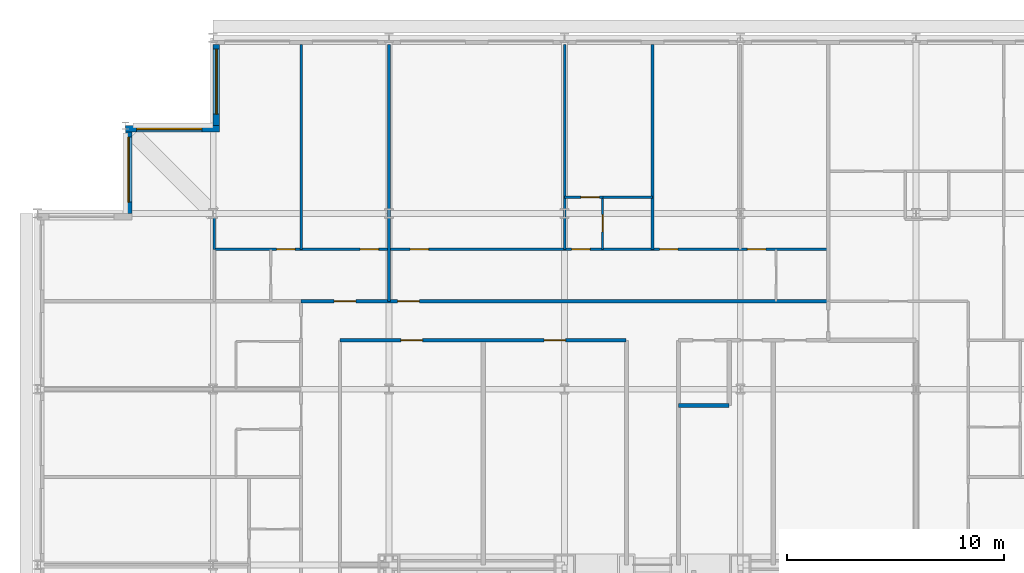
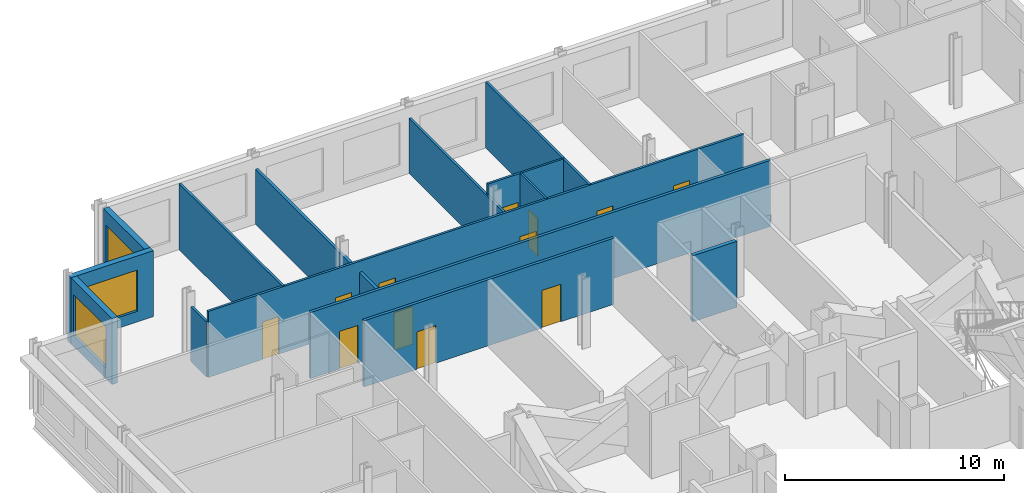
# One storey, part 12 of 15: 15 walls, 12 doors, 3 windows, 15 openings.
"""IFC4 building model written with IfcOpenShell, lengths in metres."""

from ifc_helpers import new_model, si_unit, direction, frame, frame_2d, origin, place, context, subcontext, project, spatial, rectangle, extrude, material, layer, layer_set, type_object, element, fill, save


model = new_model("IFC4")

# Units and contexts
model_context = context("Model", 3, precision=1e-05, world=origin(), true_north=direction((0.0, 1.0)))
body_context = subcontext(model_context, "Body", "Model", "MODEL_VIEW")
ifc_project = project(units=[si_unit("LENGTHUNIT", "METRE"), si_unit("AREAUNIT", "SQUARE_METRE"), si_unit("VOLUMEUNIT", "CUBIC_METRE"), si_unit("PLANEANGLEUNIT", "RADIAN"), si_unit("MASSUNIT", "GRAM", prefix="KILO")], contexts=[model_context])

# Site, building, storey
site_placement = place(None, origin())
site = spatial("IfcSite", under=ifc_project, at=site_placement, CompositionType="ELEMENT")
building_placement = place(site_placement, origin())
building = spatial("IfcBuilding", under=site, at=building_placement, Name="Kopane Lantern Tower", CompositionType="ELEMENT")
storey_placement = place(building_placement, frame((0.0, 0.0, 246.300048828125)))
storey = spatial("IfcBuildingStorey", under=building, at=storey_placement, Name="L63", CompositionType="ELEMENT", Elevation=246.300048828125)

# Walls
ifc_material_1 = material(Name="Gypsum board on steel studs", Category="steel")
ifc_layer_1 = layer(ifc_material_1, 0.1201171875)
ifc_layer_set_1 = layer_set([ifc_layer_1], Name="APARTMENT INTERNAL WALL 120")
wall_type_1 = type_object("IfcWallType", Name="APARTMENT INTERNAL WALL 120", PredefinedType="PARTITIONING", material=ifc_layer_set_1)
wall_1_placement = place(storey_placement, frame((24.300048828125, 55.050048828125, 0.0), z_axis=(0.0, 0.0, 1.0), x_axis=(0.0, 1.0, 0.0)))
element("IfcWall", 1, at=wall_1_placement, inside=storey, type_object=wall_type_1, Name="Apartment Internal Wall 120 L63", PredefinedType="PARTITIONING", context=body_context, shape_type="SweptSolid", body=[
    extrude(rectangle(XDim=9.449951171875, YDim=0.1201171875, at=frame_2d((4.72509765625, 0.0))), origin(), (0.0, 0.0, 1.0), 3.07763671875),
])
wall_2_placement = place(storey_placement, frame((28.35009765625, 55.050048828125, 0.0), z_axis=(0.0, 0.0, 1.0), x_axis=(0.0, 1.0, 0.0)))
element("IfcWall", 2, at=wall_2_placement, inside=storey, type_object=wall_type_1, Name="Apartment Internal Wall 120 L63", PredefinedType="PARTITIONING", context=body_context, shape_type="SweptSolid", body=[
    extrude(rectangle(XDim=9.449951171875, YDim=0.1201171875, at=frame_2d((4.72509765625, 0.0))), origin(), (0.0, 0.0, 1.0), 3.68994140625),
])

# Wall, openings, doors
wall_3_placement = place(storey_placement, frame((8.14990234375, 55.050048828125, 0.0), z_axis=(0.0, 0.0, 1.0), x_axis=(1.0, 0.0, 0.0)))
wall_3 = element("IfcWall", 3, at=wall_3_placement, inside=storey, type_object=wall_type_1, Name="Apartment Internal Wall 120 L63", PredefinedType="PARTITIONING", context=body_context, shape_type="SweptSolid", body=[
    extrude(rectangle(XDim=28.300048828125, YDim=0.1201171875, at=frame_2d((14.14990234375, 0.0))), origin(), (0.0, 0.0, 1.0), 3.68994140625),
])
opening_1_placement = place(wall_3_placement, frame((9.02490234375, 0.0, 0.0)))
opening_1 = element("IfcOpeningElement", 4, at=opening_1_placement, cuts=wall_3, Name="Opening L63-020", PredefinedType="OPENING", context=body_context, shape_type="SweptSolid", body=[
    extrude(rectangle(XDim=0.85009765625, YDim=2.10009765625, at=frame_2d((0.425048828125, 1.050048828125))), frame((0.0, 0.070068359375, 0.0), z_axis=(0.0, -1.0, 0.0), x_axis=(1.0, 0.0, 0.0)), (0.0, 0.0, 1.0), 0.14013671875),
])
opening_2_placement = place(wall_3_placement, frame((16.47509765625, 0.0, 0.0)))
opening_2 = element("IfcOpeningElement", 5, at=opening_2_placement, cuts=wall_3, Name="Opening L63-022", PredefinedType="OPENING", context=body_context, shape_type="SweptSolid", body=[
    extrude(rectangle(XDim=0.85009765625, YDim=2.10009765625, at=frame_2d((0.425048828125, 1.050048828125))), frame((0.0, 0.070068359375, 0.0), z_axis=(0.0, -1.0, 0.0), x_axis=(1.0, 0.0, 0.0)), (0.0, 0.0, 1.0), 0.14013671875),
])
opening_3_placement = place(wall_3_placement, frame((20.52490234375, 0.0, 0.0)))
opening_3 = element("IfcOpeningElement", 6, at=opening_3_placement, cuts=wall_3, Name="Opening L63-023", PredefinedType="OPENING", context=body_context, shape_type="SweptSolid", body=[
    extrude(rectangle(XDim=0.85009765625, YDim=2.10009765625, at=frame_2d((0.425048828125, 1.050048828125))), frame((0.0, 0.070068359375, 0.0), z_axis=(0.0, -1.0, 0.0), x_axis=(1.0, 0.0, 0.0)), (0.0, 0.0, 1.0), 0.14013671875),
])
opening_4_placement = place(wall_3_placement, frame((24.574951171875, 0.0, 0.0)))
opening_4 = element("IfcOpeningElement", 7, at=opening_4_placement, cuts=wall_3, Name="Opening L63-024", PredefinedType="OPENING", context=body_context, shape_type="SweptSolid", body=[
    extrude(rectangle(XDim=0.85009765625, YDim=2.10009765625, at=frame_2d((0.425048828125, 1.050048828125))), frame((0.0, 0.070068359375, 0.0), z_axis=(0.0, -1.0, 0.0), x_axis=(1.0, 0.0, 0.0)), (0.0, 0.0, 1.0), 0.14013671875),
])
opening_5_placement = place(wall_3_placement, frame((6.72509765625, 0.0, 0.0)))
opening_5 = element("IfcOpeningElement", 8, at=opening_5_placement, cuts=wall_3, Name="Opening L63-040", PredefinedType="OPENING", context=body_context, shape_type="SweptSolid", body=[
    extrude(rectangle(XDim=0.85009765625, YDim=2.10009765625, at=frame_2d((0.425048828125, 1.050048828125))), frame((0.0, 0.070068359375, 0.0), z_axis=(0.0, -1.0, 0.0), x_axis=(1.0, 0.0, 0.0)), (0.0, 0.0, 1.0), 0.14013671875),
])
opening_6_placement = place(wall_3_placement, frame((2.875, 0.0, 0.0)))
opening_6 = element("IfcOpeningElement", 9, at=opening_6_placement, cuts=wall_3, Name="Opening L63-042", PredefinedType="OPENING", context=body_context, shape_type="SweptSolid", body=[
    extrude(rectangle(XDim=0.85009765625, YDim=2.10009765625, at=frame_2d((0.425048828125, 1.050048828125))), frame((0.0, 0.070068359375, 0.0), z_axis=(0.0, -1.0, 0.0), x_axis=(1.0, 0.0, 0.0)), (0.0, 0.0, 1.0), 0.14013671875),
])
ifc_material_2 = material(Name="Timber door set", Category="wood")
door_type_1 = type_object("IfcDoorType", Name="DOOR D4 850x2100", OperationType="SINGLE_SWING_LEFT", PredefinedType="DOOR", material=ifc_material_2)
door_1_placement = place(opening_1_placement, origin())
door_1 = element("IfcDoor", 10, at=door_1_placement, inside=storey, type_object=door_type_1, Name="Door L63-020", OperationType="SINGLE_SWING_LEFT", OverallHeight=2.10009765625, OverallWidth=0.85009765625, PredefinedType="DOOR", context=body_context, shape_type="SweptSolid", body=[
    extrude(rectangle(XDim=0.85009765625, YDim=2.10009765625, at=frame_2d((0.425048828125, 1.050048828125))), frame((0.0, 0.02490234375, 0.0), z_axis=(0.0, -1.0, 0.0), x_axis=(1.0, 0.0, 0.0)), (0.0, 0.0, 1.0), 0.050048828125),
])
fill(opening_1, door_1)
door_2_placement = place(opening_2_placement, origin())
door_2 = element("IfcDoor", 11, at=door_2_placement, inside=storey, type_object=door_type_1, Name="Door L63-022", OperationType="SINGLE_SWING_LEFT", OverallHeight=2.10009765625, OverallWidth=0.85009765625, PredefinedType="DOOR", context=body_context, shape_type="SweptSolid", body=[
    extrude(rectangle(XDim=0.85009765625, YDim=2.10009765625, at=frame_2d((0.425048828125, 1.050048828125))), frame((0.0, 0.02490234375, 0.0), z_axis=(0.0, -1.0, 0.0), x_axis=(1.0, 0.0, 0.0)), (0.0, 0.0, 1.0), 0.050048828125),
])
fill(opening_2, door_2)
door_3_placement = place(opening_3_placement, origin())
door_3 = element("IfcDoor", 12, at=door_3_placement, inside=storey, type_object=door_type_1, Name="Door L63-023", OperationType="SINGLE_SWING_LEFT", OverallHeight=2.10009765625, OverallWidth=0.85009765625, PredefinedType="DOOR", context=body_context, shape_type="SweptSolid", body=[
    extrude(rectangle(XDim=0.85009765625, YDim=2.10009765625, at=frame_2d((0.425048828125, 1.050048828125))), frame((0.0, 0.02490234375, 0.0), z_axis=(0.0, -1.0, 0.0), x_axis=(1.0, 0.0, 0.0)), (0.0, 0.0, 1.0), 0.050048828125),
])
fill(opening_3, door_3)
door_4_placement = place(opening_4_placement, origin())
door_4 = element("IfcDoor", 13, at=door_4_placement, inside=storey, type_object=door_type_1, Name="Door L63-024", OperationType="SINGLE_SWING_LEFT", OverallHeight=2.10009765625, OverallWidth=0.85009765625, PredefinedType="DOOR", context=body_context, shape_type="SweptSolid", body=[
    extrude(rectangle(XDim=0.85009765625, YDim=2.10009765625, at=frame_2d((0.425048828125, 1.050048828125))), frame((0.0, 0.02490234375, 0.0), z_axis=(0.0, -1.0, 0.0), x_axis=(1.0, 0.0, 0.0)), (0.0, 0.0, 1.0), 0.050048828125),
])
fill(opening_4, door_4)
door_5_placement = place(opening_5_placement, origin())
door_5 = element("IfcDoor", 14, at=door_5_placement, inside=storey, type_object=door_type_1, Name="Door L63-040", OperationType="SINGLE_SWING_LEFT", OverallHeight=2.10009765625, OverallWidth=0.85009765625, PredefinedType="DOOR", context=body_context, shape_type="SweptSolid", body=[
    extrude(rectangle(XDim=0.85009765625, YDim=2.10009765625, at=frame_2d((0.425048828125, 1.050048828125))), frame((0.0, 0.02490234375, 0.0), z_axis=(0.0, -1.0, 0.0), x_axis=(1.0, 0.0, 0.0)), (0.0, 0.0, 1.0), 0.050048828125),
])
fill(opening_5, door_5)
door_6_placement = place(opening_6_placement, origin())
door_6 = element("IfcDoor", 15, at=door_6_placement, inside=storey, type_object=door_type_1, Name="Door L63-042", OperationType="SINGLE_SWING_RIGHT", OverallHeight=2.10009765625, OverallWidth=0.85009765625, PredefinedType="DOOR", context=body_context, shape_type="SweptSolid", body=[
    extrude(rectangle(XDim=0.85009765625, YDim=2.10009765625, at=frame_2d((0.425048828125, 1.050048828125))), frame((0.0, 0.02490234375, 0.0), z_axis=(0.0, -1.0, 0.0), x_axis=(1.0, 0.0, 0.0)), (0.0, 0.0, 1.0), 0.050048828125),
])
fill(opening_6, door_6)

# Wall
wall_4_placement = place(storey_placement, frame((12.14990234375, 55.050048828125, 0.0), z_axis=(0.0, 0.0, 1.0), x_axis=(0.0, 1.0, 0.0)))
element("IfcWall", 16, at=wall_4_placement, inside=storey, type_object=wall_type_1, Name="Apartment Internal Wall 120 L63", PredefinedType="PARTITIONING", context=body_context, shape_type="SweptSolid", body=[
    extrude(rectangle(XDim=9.449951171875, YDim=0.1201171875, at=frame_2d((4.72509765625, 0.0))), origin(), (0.0, 0.0, 1.0), 3.68994140625),
])

# Wall, opening, door
wall_5_placement = place(storey_placement, frame((24.300048828125, 57.449951171875, 0.0), z_axis=(0.0, 0.0, 1.0), x_axis=(1.0, 0.0, 0.0)))
wall_5 = element("IfcWall", 17, at=wall_5_placement, inside=storey, type_object=wall_type_1, Name="Apartment Internal Wall 120 L63", PredefinedType="PARTITIONING", context=body_context, shape_type="SweptSolid", body=[
    extrude(rectangle(XDim=1.760009765625, YDim=0.1201171875, at=frame_2d((0.8798828125, 0.0))), origin(), (0.0, 0.0, 1.0), 3.68994140625),
])
opening_7_placement = place(wall_5_placement, frame((0.75, 0.0, 0.0)))
opening_7 = element("IfcOpeningElement", 18, at=opening_7_placement, cuts=wall_5, Name="Opening L63-061", PredefinedType="OPENING", context=body_context, shape_type="SweptSolid", body=[
    extrude(rectangle(XDim=0.85009765625, YDim=2.10009765625, at=frame_2d((0.425048828125, 1.050048828125))), frame((0.0, 0.070068359375, 0.0), z_axis=(0.0, -1.0, 0.0), x_axis=(1.0, 0.0, 0.0)), (0.0, 0.0, 1.0), 0.14013671875),
])
door_7_placement = place(opening_7_placement, origin())
door_7 = element("IfcDoor", 19, at=door_7_placement, inside=storey, type_object=door_type_1, Name="Door L63-061", OperationType="SINGLE_SWING_LEFT", OverallHeight=2.10009765625, OverallWidth=0.85009765625, PredefinedType="DOOR", context=body_context, shape_type="SweptSolid", body=[
    extrude(rectangle(XDim=0.85009765625, YDim=2.10009765625, at=frame_2d((0.425048828125, 1.050048828125))), frame((0.0, 0.02490234375, 0.0), z_axis=(0.0, -1.0, 0.0), x_axis=(1.0, 0.0, 0.0)), (0.0, 0.0, 1.0), 0.050048828125),
])
fill(opening_7, door_7)

# Wall
wall_6_placement = place(storey_placement, frame((8.14990234375, 55.050048828125, 0.0), z_axis=(0.0, 0.0, 1.0), x_axis=(0.0, 1.0, 0.0)))
element("IfcWall", 20, at=wall_6_placement, inside=storey, type_object=wall_type_1, Name="Apartment Internal Wall 120 L63", PredefinedType="PARTITIONING", context=body_context, shape_type="SweptSolid", body=[
    extrude(rectangle(XDim=1.447021484375, YDim=0.1201171875, at=frame_2d((0.7236328125, 0.0))), origin(), (0.0, 0.0, 1.0), 3.07763671875),
])

# Wall, opening, door
ifc_material_3 = material(Name="Moisture-resistant board on steel studs", Category="steel")
ifc_layer_2 = layer(ifc_material_3, 0.10009765625)
ifc_layer_set_2 = layer_set([ifc_layer_2], Name="BATHROOM WALL 100")
wall_type_2 = type_object("IfcWallType", Name="BATHROOM WALL 100", PredefinedType="PARTITIONING", material=ifc_layer_set_2)
wall_7_placement = place(storey_placement, frame((26.050048828125, 55.050048828125, 0.0), z_axis=(0.0, 0.0, 1.0), x_axis=(0.0, 1.0, 0.0)))
wall_7 = element("IfcWall", 21, at=wall_7_placement, inside=storey, type_object=wall_type_2, Name="Bathroom Wall 100 L63", PredefinedType="PARTITIONING", context=body_context, shape_type="SweptSolid", body=[
    extrude(rectangle(XDim=2.39990234375, YDim=0.10009765625, at=frame_2d((1.199951171875, 0.0))), origin(), (0.0, 0.0, 1.0), 3.68994140625),
])
opening_8_placement = place(wall_7_placement, frame((0.800048828125, 0.0, 0.0)))
opening_8 = element("IfcOpeningElement", 22, at=opening_8_placement, cuts=wall_7, Name="Opening L63-021", PredefinedType="OPENING", context=body_context, shape_type="SweptSolid", body=[
    extrude(rectangle(XDim=0.800048828125, YDim=2.10009765625, at=frame_2d((0.39990234375, 1.050048828125))), frame((0.0, 0.06005859375, 0.0), z_axis=(0.0, -1.0, 0.0), x_axis=(1.0, 0.0, 0.0)), (0.0, 0.0, 1.0), 0.1201171875),
])
ifc_material_4 = material(Name="Timber door set", Category="wood")
door_type_2 = type_object("IfcDoorType", Name="DOOR D2 800x2100", OperationType="SINGLE_SWING_LEFT", PredefinedType="DOOR", material=ifc_material_4)
door_8_placement = place(opening_8_placement, origin())
door_8 = element("IfcDoor", 23, at=door_8_placement, inside=storey, type_object=door_type_2, Name="Door L63-021", OperationType="SINGLE_SWING_RIGHT", OverallHeight=2.10009765625, OverallWidth=0.800048828125, PredefinedType="DOOR", context=body_context, shape_type="SweptSolid", body=[
    extrude(rectangle(XDim=0.800048828125, YDim=2.10009765625, at=frame_2d((0.39990234375, 1.050048828125))), frame((0.0, 0.02490234375, 0.0), z_axis=(0.0, -1.0, 0.0), x_axis=(1.0, 0.0, 0.0)), (0.0, 0.0, 1.0), 0.050048828125),
])
fill(opening_8, door_8)

# Wall
wall_8_placement = place(storey_placement, frame((26.050048828125, 57.449951171875, 0.0), z_axis=(0.0, 0.0, 1.0), x_axis=(1.0, 0.0, 0.0)))
element("IfcWall", 24, at=wall_8_placement, inside=storey, type_object=wall_type_2, Name="Bathroom Wall 100 L63", PredefinedType="PARTITIONING", context=body_context, shape_type="SweptSolid", body=[
    extrude(rectangle(XDim=2.300048828125, YDim=0.10009765625, at=frame_2d((1.14990234375, 0.0))), origin(), (0.0, 0.0, 1.0), 3.68994140625),
])

# Wall, openings, doors
ifc_material_5 = material(Name="Gypsum board on steel studs", Category="steel")
ifc_layer_3 = layer(ifc_material_5, 0.14990234375)
ifc_layer_set_3 = layer_set([ifc_layer_3], Name="CORRIDOR WALL 150 EI 60")
wall_type_3 = type_object("IfcWallType", Name="CORRIDOR WALL 150 EI 60", PredefinedType="PARTITIONING", material=ifc_layer_set_3)
wall_9_placement = place(storey_placement, frame((12.14990234375, 52.64990234375, 0.0), z_axis=(0.0, 0.0, 1.0), x_axis=(1.0, 0.0, 0.0)))
wall_9 = element("IfcWall", 25, at=wall_9_placement, inside=storey, type_object=wall_type_3, Name="Corridor Wall 150 Ei 60 L63", PredefinedType="PARTITIONING", context=body_context, shape_type="SweptSolid", body=[
    extrude(rectangle(XDim=24.300048828125, YDim=0.14990234375, at=frame_2d((12.14990234375, 0.0))), origin(), (0.0, 0.0, 1.0), 3.68994140625),
])
opening_9_placement = place(wall_9_placement, frame((4.449951171875, 0.0, 0.0)))
opening_9 = element("IfcOpeningElement", 26, at=opening_9_placement, cuts=wall_9, Name="Opening L63-019", PredefinedType="OPENING", context=body_context, shape_type="SweptSolid", body=[
    extrude(rectangle(XDim=1.0, YDim=2.10009765625, at=frame_2d((0.5, 1.050048828125))), frame((0.0, 0.0849609375, 0.0), z_axis=(0.0, -1.0, 0.0), x_axis=(1.0, 0.0, 0.0)), (0.0, 0.0, 1.0), 0.169921875),
])
opening_10_placement = place(wall_9_placement, frame((1.52490234375, 0.0, 0.0)))
opening_10 = element("IfcOpeningElement", 27, at=opening_10_placement, cuts=wall_9, Name="Opening L63-039", PredefinedType="OPENING", context=body_context, shape_type="SweptSolid", body=[
    extrude(rectangle(XDim=1.0, YDim=2.10009765625, at=frame_2d((0.5, 1.050048828125))), frame((0.0, 0.0849609375, 0.0), z_axis=(0.0, -1.0, 0.0), x_axis=(1.0, 0.0, 0.0)), (0.0, 0.0, 1.0), 0.169921875),
])
ifc_material_6 = material(Name="Steel door set", Category="steel")
door_type_3 = type_object("IfcDoorType", Name="DOOR D3 1000x2100 FD30S", OperationType="SINGLE_SWING_LEFT", PredefinedType="DOOR", material=ifc_material_6)
door_9_placement = place(opening_9_placement, origin())
door_9 = element("IfcDoor", 28, at=door_9_placement, inside=storey, type_object=door_type_3, Name="Door L63-019", OperationType="SINGLE_SWING_LEFT", OverallHeight=2.10009765625, OverallWidth=1.0, PredefinedType="DOOR", context=body_context, shape_type="SweptSolid", body=[
    extrude(rectangle(XDim=1.0, YDim=2.10009765625, at=frame_2d((0.5, 1.050048828125))), frame((0.0, 0.02490234375, 0.0), z_axis=(0.0, -1.0, 0.0), x_axis=(1.0, 0.0, 0.0)), (0.0, 0.0, 1.0), 0.050048828125),
])
fill(opening_9, door_9)
door_10_placement = place(opening_10_placement, origin())
door_10 = element("IfcDoor", 29, at=door_10_placement, inside=storey, type_object=door_type_3, Name="Door L63-039", OperationType="SINGLE_SWING_RIGHT", OverallHeight=2.10009765625, OverallWidth=1.0, PredefinedType="DOOR", context=body_context, shape_type="SweptSolid", body=[
    extrude(rectangle(XDim=1.0, YDim=2.10009765625, at=frame_2d((0.5, 1.050048828125))), frame((0.0, 0.02490234375, 0.0), z_axis=(0.0, -1.0, 0.0), x_axis=(1.0, 0.0, 0.0)), (0.0, 0.0, 1.0), 0.050048828125),
])
fill(opening_10, door_10)

wall_10_placement = place(storey_placement, frame((13.949951171875, 50.85009765625, 0.0), z_axis=(0.0, 0.0, 1.0), x_axis=(1.0, 0.0, 0.0)))
wall_10 = element("IfcWall", 30, at=wall_10_placement, inside=storey, type_object=wall_type_3, Name="Corridor Wall 150 Ei 60 L63", PredefinedType="PARTITIONING", context=body_context, shape_type="SweptSolid", body=[
    extrude(rectangle(XDim=13.18994140625, YDim=0.14990234375, at=frame_2d((6.594970703125, 0.0))), origin(), (0.0, 0.0, 1.0), 3.68994140625),
])
opening_11_placement = place(wall_10_placement, frame((2.800048828125, 0.0, 0.0)))
opening_11 = element("IfcOpeningElement", 31, at=opening_11_placement, cuts=wall_10, Name="Opening L63-003", PredefinedType="OPENING", context=body_context, shape_type="SweptSolid", body=[
    extrude(rectangle(XDim=1.0, YDim=2.10009765625, at=frame_2d((0.5, 1.050048828125))), frame((0.0, 0.0849609375, 0.0), z_axis=(0.0, -1.0, 0.0), x_axis=(1.0, 0.0, 0.0)), (0.0, 0.0, 1.0), 0.169921875),
])
opening_12_placement = place(wall_10_placement, frame((9.39990234375, 0.0, 0.0)))
opening_12 = element("IfcOpeningElement", 32, at=opening_12_placement, cuts=wall_10, Name="Opening L63-004", PredefinedType="OPENING", context=body_context, shape_type="SweptSolid", body=[
    extrude(rectangle(XDim=1.0, YDim=2.10009765625, at=frame_2d((0.5, 1.050048828125))), frame((0.0, 0.0849609375, 0.0), z_axis=(0.0, -1.0, 0.0), x_axis=(1.0, 0.0, 0.0)), (0.0, 0.0, 1.0), 0.169921875),
])
ifc_material_7 = material(Name="Steel door set", Category="steel")
door_type_4 = type_object("IfcDoorType", Name="DOOR D5 1000x2100 FD60", OperationType="SINGLE_SWING_LEFT", PredefinedType="DOOR", material=ifc_material_7)
door_11_placement = place(opening_11_placement, origin())
door_11 = element("IfcDoor", 33, at=door_11_placement, inside=storey, type_object=door_type_4, Name="Door L63-003", OperationType="SINGLE_SWING_RIGHT", OverallHeight=2.10009765625, OverallWidth=1.0, PredefinedType="DOOR", context=body_context, shape_type="SweptSolid", body=[
    extrude(rectangle(XDim=1.0, YDim=2.10009765625, at=frame_2d((0.5, 1.050048828125))), frame((0.0, 0.02490234375, 0.0), z_axis=(0.0, -1.0, 0.0), x_axis=(1.0, 0.0, 0.0)), (0.0, 0.0, 1.0), 0.050048828125),
])
fill(opening_11, door_11)
door_12_placement = place(opening_12_placement, origin())
door_12 = element("IfcDoor", 34, at=door_12_placement, inside=storey, type_object=door_type_4, Name="Door L63-004", OperationType="SINGLE_SWING_LEFT", OverallHeight=2.10009765625, OverallWidth=1.0, PredefinedType="DOOR", context=body_context, shape_type="SweptSolid", body=[
    extrude(rectangle(XDim=1.0, YDim=2.10009765625, at=frame_2d((0.5, 1.050048828125))), frame((0.0, 0.02490234375, 0.0), z_axis=(0.0, -1.0, 0.0), x_axis=(1.0, 0.0, 0.0)), (0.0, 0.0, 1.0), 0.050048828125),
])
fill(opening_12, door_12)

# Wall
ifc_material_8 = material(Name="Gypsum board on steel studs", Category="steel")
ifc_layer_4 = layer(ifc_material_8, 0.14990234375)
ifc_layer_set_4 = layer_set([ifc_layer_4], Name="DEMISING WALL 150 EI 60")
wall_type_4 = type_object("IfcWallType", Name="DEMISING WALL 150 EI 60", PredefinedType="PARTITIONING", material=ifc_layer_set_4)
wall_11_placement = place(storey_placement, frame((16.199951171875, 52.64990234375, 0.0), z_axis=(0.0, 0.0, 1.0), x_axis=(0.0, 1.0, 0.0)))
element("IfcWall", 35, at=wall_11_placement, inside=storey, type_object=wall_type_4, Name="Demising Wall 150 Ei 60 L63", PredefinedType="PARTITIONING", context=body_context, shape_type="SweptSolid", body=[
    extrude(rectangle(XDim=11.85009765625, YDim=0.14990234375, at=frame_2d((5.925048828125, 0.0))), origin(), (0.0, 0.0, 1.0), 3.07763671875),
])

# Wall, opening, window
ifc_material_9 = material(Name="Terracotta rainscreen on light steel framing", Category="masonry")
ifc_layer_5 = layer(ifc_material_9, 0.300048828125)
ifc_layer_set_5 = layer_set([ifc_layer_5], Name="EXTERNAL WALL EW1 300 TERRACOTTA")
wall_type_5 = type_object("IfcWallType", Name="EXTERNAL WALL EW1 300 TERRACOTTA", PredefinedType="SOLIDWALL", material=ifc_layer_set_5)
wall_12_placement = place(storey_placement, frame((8.25, 64.5, 0.0), z_axis=(0.0, 0.0, 1.0), x_axis=(0.0, -1.0, 0.0)))
wall_12 = element("IfcWall", 36, at=wall_12_placement, inside=storey, type_object=wall_type_5, Name="External wall W L63", PredefinedType="SOLIDWALL", context=body_context, shape_type="SweptSolid", body=[
    extrude(rectangle(XDim=3.75, YDim=0.300048828125, at=frame_2d((1.875, 0.0))), origin(), (0.0, 0.0, 1.0), 3.68994140625),
])
opening_13_placement = place(wall_12_placement, frame((0.22509765625, 0.0, 0.60009765625)))
opening_13 = element("IfcOpeningElement", 37, at=opening_13_placement, cuts=wall_12, Name="Opening WR300230", PredefinedType="OPENING", context=body_context, shape_type="SweptSolid", body=[
    extrude(rectangle(XDim=3.0, YDim=2.300048828125, at=frame_2d((1.5, 1.14990234375))), frame((0.0, 0.159912109375, 0.0), z_axis=(0.0, -1.0, 0.0), x_axis=(1.0, 0.0, 0.0)), (0.0, 0.0, 1.0), 0.320068359375),
])
ifc_material_10 = material(Name="Aluminium and clear glass", Category="aluminium")
window_type = type_object("IfcWindowType", Name="RIBBON WINDOW WR300230 3000x2300", PartitioningType="SINGLE_PANEL", PredefinedType="WINDOW", material=ifc_material_10)
window_1_placement = place(opening_13_placement, origin())
window_1 = element("IfcWindow", 38, at=window_1_placement, inside=storey, type_object=window_type, Name="Window W L63", OverallHeight=2.300048828125, OverallWidth=3.0, PartitioningType="SINGLE_PANEL", PredefinedType="WINDOW", context=body_context, shape_type="SweptSolid", body=[
    extrude(rectangle(XDim=3.0, YDim=2.300048828125, at=frame_2d((1.5, 1.14990234375))), frame((0.0, 0.030029296875, 0.0), z_axis=(0.0, -1.0, 0.0), x_axis=(1.0, 0.0, 0.0)), (0.0, 0.0, 1.0), 0.06005859375),
])
fill(opening_13, window_1)

wall_13_placement = place(storey_placement, frame((8.39990234375, 60.60009765625, 0.0), z_axis=(0.0, 0.0, 1.0), x_axis=(-1.0, 0.0, 0.0)))
wall_13 = element("IfcWall", 39, at=wall_13_placement, inside=storey, type_object=wall_type_5, Name="External wall N L63", PredefinedType="SOLIDWALL", context=body_context, shape_type="SweptSolid", body=[
    extrude(rectangle(XDim=4.349853515625, YDim=0.300048828125, at=frame_2d((2.1748046875, 0.0))), origin(), (0.0, 0.0, 1.0), 3.68994140625),
])
opening_14_placement = place(wall_13_placement, frame((0.824951171875, 0.0, 0.60009765625)))
opening_14 = element("IfcOpeningElement", 40, at=opening_14_placement, cuts=wall_13, Name="Opening WR300230", PredefinedType="OPENING", context=body_context, shape_type="SweptSolid", body=[
    extrude(rectangle(XDim=3.0, YDim=2.300048828125, at=frame_2d((1.5, 1.14990234375))), frame((0.0, 0.159912109375, 0.0), z_axis=(0.0, -1.0, 0.0), x_axis=(1.0, 0.0, 0.0)), (0.0, 0.0, 1.0), 0.320068359375),
])
window_2_placement = place(opening_14_placement, origin())
window_2 = element("IfcWindow", 41, at=window_2_placement, inside=storey, type_object=window_type, Name="Window N L63", OverallHeight=2.300048828125, OverallWidth=3.0, PartitioningType="SINGLE_PANEL", PredefinedType="WINDOW", context=body_context, shape_type="SweptSolid", body=[
    extrude(rectangle(XDim=3.0, YDim=2.300048828125, at=frame_2d((1.5, 1.14990234375))), frame((0.0, 0.030029296875, 0.0), z_axis=(0.0, -1.0, 0.0), x_axis=(1.0, 0.0, 0.0)), (0.0, 0.0, 1.0), 0.06005859375),
])
fill(opening_14, window_2)

wall_14_placement = place(storey_placement, frame((4.199951171875, 60.449951171875, 0.0), z_axis=(0.0, 0.0, 1.0), x_axis=(0.0, -1.0, 0.0)))
wall_14 = element("IfcWall", 42, at=wall_14_placement, inside=storey, type_object=wall_type_5, Name="External wall W L63", PredefinedType="SOLIDWALL", context=body_context, shape_type="SweptSolid", body=[
    extrude(rectangle(XDim=3.75, YDim=0.300048828125, at=frame_2d((1.875, 0.0))), origin(), (0.0, 0.0, 1.0), 3.68994140625),
])
opening_15_placement = place(wall_14_placement, frame((0.22509765625, 0.0, 0.60009765625)))
opening_15 = element("IfcOpeningElement", 43, at=opening_15_placement, cuts=wall_14, Name="Opening WR300230", PredefinedType="OPENING", context=body_context, shape_type="SweptSolid", body=[
    extrude(rectangle(XDim=3.0, YDim=2.300048828125, at=frame_2d((1.5, 1.14990234375))), frame((0.0, 0.159912109375, 0.0), z_axis=(0.0, -1.0, 0.0), x_axis=(1.0, 0.0, 0.0)), (0.0, 0.0, 1.0), 0.320068359375),
])
window_3_placement = place(opening_15_placement, origin())
window_3 = element("IfcWindow", 44, at=window_3_placement, inside=storey, type_object=window_type, Name="Window W L63", OverallHeight=2.300048828125, OverallWidth=3.0, PartitioningType="SINGLE_PANEL", PredefinedType="WINDOW", context=body_context, shape_type="SweptSolid", body=[
    extrude(rectangle(XDim=3.0, YDim=2.300048828125, at=frame_2d((1.5, 1.14990234375))), frame((0.0, 0.030029296875, 0.0), z_axis=(0.0, -1.0, 0.0), x_axis=(1.0, 0.0, 0.0)), (0.0, 0.0, 1.0), 0.06005859375),
])
fill(opening_15, window_3)

# Wall
ifc_material_11 = material(Name="Concrete masonry", Category="masonry")
ifc_layer_6 = layer(ifc_material_11, 0.199951171875)
ifc_layer_set_6 = layer_set([ifc_layer_6], Name="PLANT ROOM WALL 200 EI 120")
wall_type_6 = type_object("IfcWallType", Name="PLANT ROOM WALL 200 EI 120", PredefinedType="SOLIDWALL", material=ifc_layer_set_6)
wall_15_placement = place(storey_placement, frame((29.550048828125, 47.85009765625, 0.0), z_axis=(0.0, 0.0, 1.0), x_axis=(1.0, 0.0, 0.0)))
element("IfcWall", 45, at=wall_15_placement, inside=storey, type_object=wall_type_6, Name="Plant Room Wall 200 Ei 120 L63", PredefinedType="SOLIDWALL", context=body_context, shape_type="SweptSolid", body=[
    extrude(rectangle(XDim=2.333251953125, YDim=0.199951171875, at=frame_2d((1.16650390625, 0.0))), origin(), (0.0, 0.0, 1.0), 3.68994140625),
])

save(model, "model.ifc")
